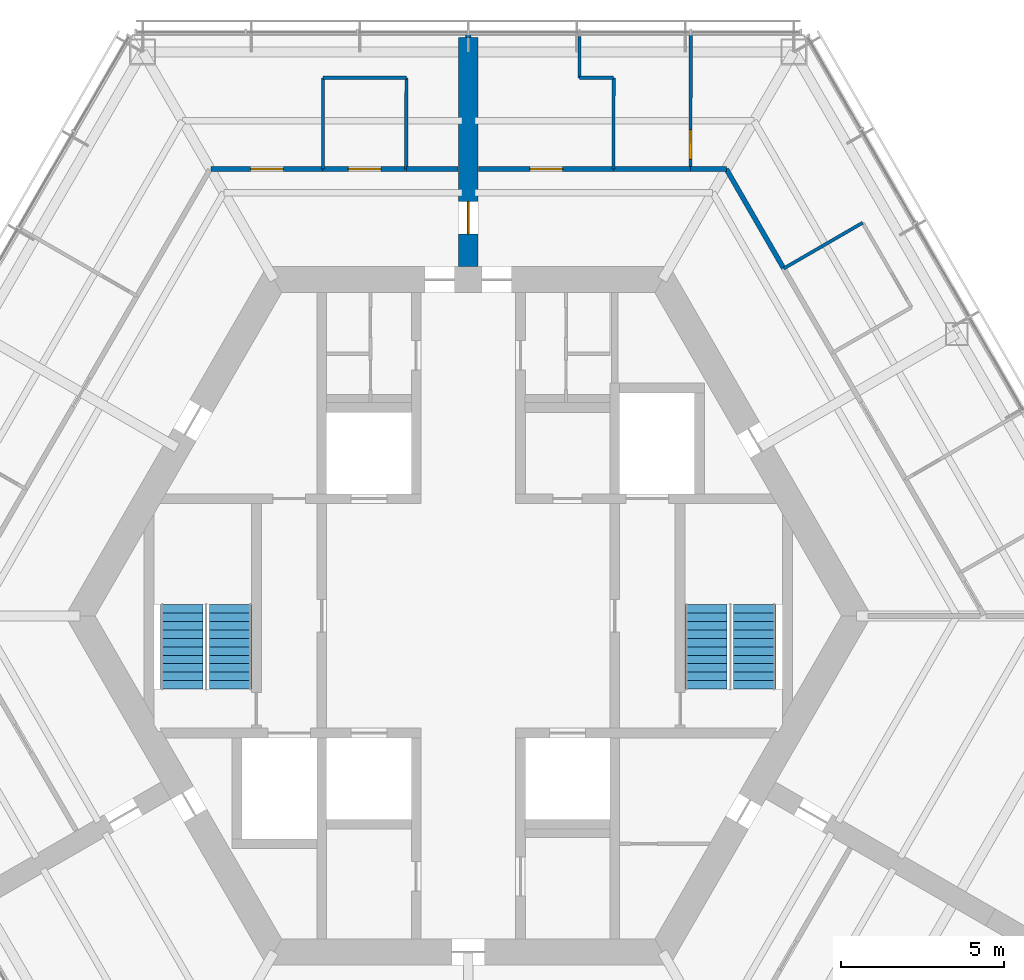
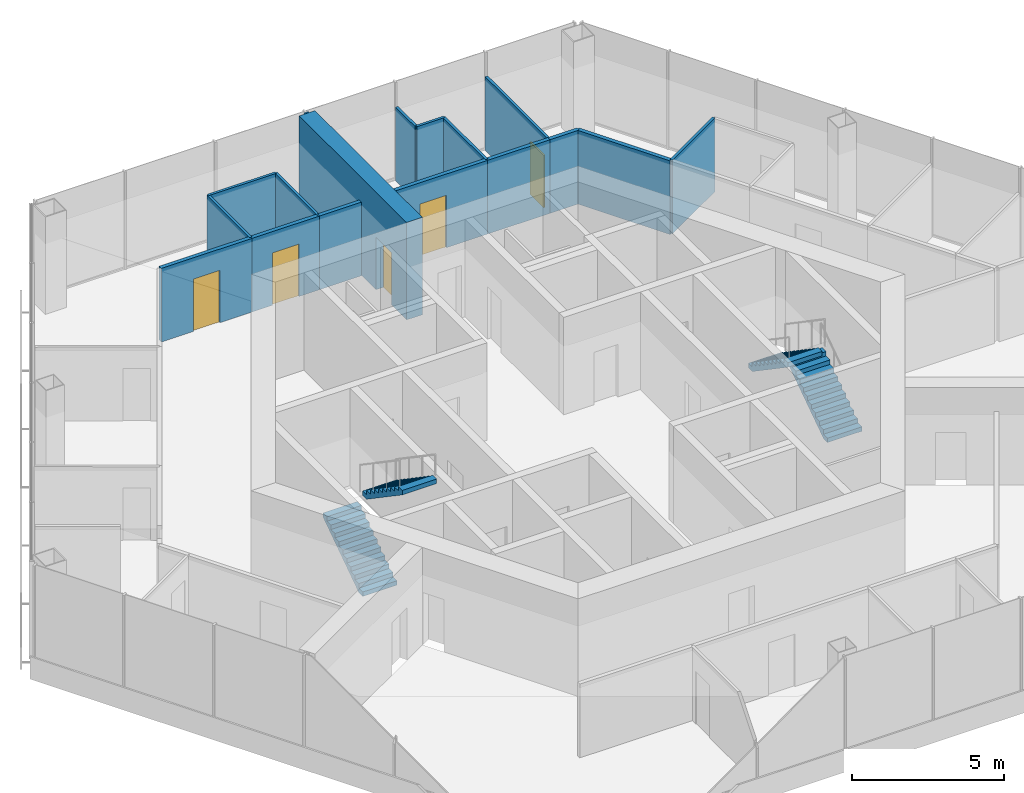
# One storey, part 10 of 13: 17 walls, 5 doors, 4 stair flights, 5 openings, 2 elements without a shape of their own.
"""IFC4 building model written with IfcOpenShell, lengths in metres."""

from ifc_helpers import new_model, si_unit, direction, frame, frame_2d, origin, place, context, subcontext, project, spatial, polyline, rectangle, outline, extrude, material, layer, layer_set, type_object, element, fill, aggregate, save


model = new_model("IFC4")

# Units and contexts
model_context = context("Model", 3, precision=1e-05, world=origin(), true_north=direction((0.0, 1.0)))
body_context = subcontext(model_context, "Body", "Model", "MODEL_VIEW")
ifc_project = project(units=[si_unit("LENGTHUNIT", "METRE"), si_unit("AREAUNIT", "SQUARE_METRE"), si_unit("VOLUMEUNIT", "CUBIC_METRE"), si_unit("PLANEANGLEUNIT", "RADIAN"), si_unit("MASSUNIT", "GRAM", prefix="KILO")], contexts=[model_context])

# Site, building, storey
site_placement = place(None, origin())
site = spatial("IfcSite", under=ifc_project, at=site_placement, CompositionType="ELEMENT")
building_placement = place(site_placement, origin())
building = spatial("IfcBuilding", under=site, at=building_placement, Name="Kasaneha Research Tower", CompositionType="ELEMENT")
storey_placement = place(building_placement, frame((0.0, 0.0, 271.300048828125)))
storey = spatial("IfcBuildingStorey", under=building, at=storey_placement, Name="L68", CompositionType="ELEMENT", Elevation=271.300048828125)

# Walls
ifc_material_1 = material(Name="Gypsum board on steel studs, one layer each side", Category="steel")
ifc_layer_1 = layer(ifc_material_1, 0.10009765625)
ifc_layer_set_1 = layer_set([ifc_layer_1], Name="Office partition 100")
wall_type_1 = type_object("IfcWallType", Name="Office partition 100", PredefinedType="PARTITIONING", material=ifc_layer_set_1)
wall_1_placement = place(storey_placement, frame((3.4150390625, 16.52490234375, 0.0), z_axis=(0.0, 0.0, 1.0), x_axis=(1.0, 0.0, 0.0)))
element("IfcWall", 1, at=wall_1_placement, inside=storey, type_object=wall_type_1, Name="Office partition FAE09 L68", PredefinedType="PARTITIONING", context=body_context, shape_type="SweptSolid", body=[
    extrude(rectangle(XDim=1.050048828125, YDim=0.10009765625, at=frame_2d((0.52490234375, 0.0))), origin(), (0.0, 0.0, 1.0), 2.949951171875),
])
wall_2_placement = place(storey_placement, frame((3.4150390625, 17.800537109375, 0.0), z_axis=(0.0, 0.0, 1.0), x_axis=(0.0, -1.0, 0.0)))
element("IfcWall", 2, at=wall_2_placement, inside=storey, type_object=wall_type_1, Name="Office partition FAE10 L68", PredefinedType="PARTITIONING", context=body_context, shape_type="SweptSolid", body=[
    extrude(rectangle(XDim=1.275634765625, YDim=0.10009765625, at=frame_2d((0.6376953125, 0.0))), origin(), (0.0, 0.0, 1.0), 2.949951171875),
])
wall_3_placement = place(storey_placement, frame((4.465087890625, 16.52490234375, 0.0), z_axis=(0.0, 0.0, 1.0), x_axis=(-0.00183117935, -0.99999832339, 0.0)))
element("IfcWall", 3, at=wall_3_placement, inside=storey, type_object=wall_type_1, Name="Office partition FAE11 L68", PredefinedType="PARTITIONING", context=body_context, shape_type="SweptSolid", body=[
    extrude(rectangle(XDim=2.7998046875, YDim=0.10009765625, at=frame_2d((1.39990234375, 0.0))), origin(), (0.0, 0.0, 1.0), 2.949951171875),
])
wall_4_placement = place(storey_placement, frame((9.6884765625, 10.669189453125, 0.0), z_axis=(0.0, 0.0, 1.0), x_axis=(0.865233198925, 0.501369635576, 0.0)))
element("IfcWall", 4, at=wall_4_placement, inside=storey, type_object=wall_type_1, Name="Office partition FAE12 L68", PredefinedType="PARTITIONING", context=body_context, shape_type="SweptSolid", body=[
    extrude(rectangle(XDim=2.800048828125, YDim=0.10009765625, at=frame_2d((1.39990234375, 0.0))), origin(), (0.0, 0.0, 1.0), 2.949951171875),
])

# Wall, opening, door
wall_5_placement = place(storey_placement, frame((6.8310546875, 17.83544921875, 0.0), z_axis=(0.0, 0.0, 1.0), x_axis=(-0.001128533375, -0.999999363206, 0.0)))
wall_5 = element("IfcWall", 5, at=wall_5_placement, inside=storey, type_object=wall_type_1, Name="Office partition FAE17 L68", PredefinedType="PARTITIONING", context=body_context, shape_type="SweptSolid", body=[
    extrude(rectangle(XDim=4.1103515625, YDim=0.10009765625, at=frame_2d((2.05517578125, 0.0))), origin(), (0.0, 0.0, 1.0), 2.949951171875),
])
opening_1_placement = place(wall_5_placement, frame((2.910400390625, 0.0, 0.0)))
opening_1 = element("IfcOpeningElement", 6, at=opening_1_placement, cuts=wall_5, Name="Opening L68-D31", PredefinedType="OPENING", context=body_context, shape_type="SweptSolid", body=[
    extrude(rectangle(XDim=0.89990234375, YDim=2.10009765625, at=frame_2d((0.449951171875, 1.050048828125))), frame((0.0, 0.06005859375, 0.0), z_axis=(0.0, -1.0, 0.0), x_axis=(1.0, 0.0, 0.0)), (0.0, 0.0, 1.0), 0.1201171875),
])
ifc_material_2 = material(Name="Timber veneer", Category="wood")
door_type_1 = type_object("IfcDoorType", Name="Office door 900x2100", OperationType="SINGLE_SWING_LEFT", PredefinedType="DOOR", material=ifc_material_2)
door_1_placement = place(opening_1_placement, origin())
door_1 = element("IfcDoor", 7, at=door_1_placement, inside=storey, type_object=door_type_1, Name="Manager's office door L68-D31", OperationType="SINGLE_SWING_RIGHT", OverallHeight=2.10009765625, OverallWidth=0.89990234375, PredefinedType="DOOR", context=body_context, shape_type="SweptSolid", body=[
    extrude(rectangle(XDim=0.89990234375, YDim=2.10009765625, at=frame_2d((0.449951171875, 1.050048828125))), frame((0.0, 0.02490234375, 0.0), z_axis=(0.0, -1.0, 0.0), x_axis=(1.0, 0.0, 0.0)), (0.0, 0.0, 1.0), 0.050048828125),
])
fill(opening_1, door_1)

# Walls
wall_6_placement = place(storey_placement, frame((-4.465087890625, 16.52490234375, 0.0), z_axis=(0.0, 0.0, 1.0), x_axis=(1.0, 0.0, 0.0)))
element("IfcWall", 8, at=wall_6_placement, inside=storey, type_object=wall_type_1, Name="Office partition FAW04 L68", PredefinedType="PARTITIONING", context=body_context, shape_type="SweptSolid", body=[
    extrude(rectangle(XDim=2.565185546875, YDim=0.10009765625, at=frame_2d((1.28271484375, 0.0))), origin(), (0.0, 0.0, 1.0), 2.949951171875),
])
for number, where, z_axis, x_axis, name in (
    (9, (-4.46044921875, 13.72509765625, 0.0), (0.0, 0.0, 1.0), (-0.001656781821, 0.999998627536, 0.0), "Office partition FAW05 L68"),
    (10, (-1.89990234375, 16.52490234375, 0.0), (0.0, 0.0, 1.0), (-0.001656781821, -0.999998627536, 0.0), "Office partition FAW06 L68"),
):
    element("IfcWall", number, at=place(storey_placement, frame(where, z_axis=z_axis, x_axis=x_axis)), inside=storey, type_object=wall_type_1, Name=name, PredefinedType="PARTITIONING", context=body_context, shape_type="SweptSolid", body=[
        extrude(rectangle(XDim=2.7998046875, YDim=0.10009765625, at=frame_2d((1.39990234375, 0.0))), origin(), (0.0, 0.0, 1.0), 2.949951171875),
    ])

# Wall, opening, door
ifc_material_3 = material(Name="Concrete Fc60", Category="concrete")
ifc_layer_2 = layer(ifc_material_3, 0.60009765625)
ifc_layer_set_2 = layer_set([ifc_layer_2], Name="Spine wall 600 Fc60")
wall_type_2 = type_object("IfcWallType", Name="Spine wall 600 Fc60", PredefinedType="SHEAR", material=ifc_layer_set_2)
wall_7_placement = place(storey_placement, frame((0.0, 10.72509765625, 0.0), z_axis=(0.0, 0.0, 1.0), x_axis=(0.0, 1.0, 0.0)))
wall_7 = element("IfcWall", 11, at=wall_7_placement, inside=storey, type_object=wall_type_2, Name="Spine wall A L68", PredefinedType="SHEAR", context=body_context, shape_type="SweptSolid", body=[
    extrude(rectangle(XDim=7.04541015625, YDim=0.60009765625, at=frame_2d((3.522705078125, 0.0))), origin(), (0.0, 0.0, 1.0), 3.89990234375),
])
opening_2_placement = place(wall_7_placement, frame((1.0, 0.0, 0.0)))
opening_2 = element("IfcOpeningElement", 12, at=opening_2_placement, cuts=wall_7, Name="Opening L68-D18", PredefinedType="OPENING", context=body_context, shape_type="SweptSolid", body=[
    extrude(rectangle(XDim=1.0, YDim=2.10009765625, at=frame_2d((0.5, 1.050048828125))), frame((0.0, 0.31005859375, 0.0), z_axis=(0.0, -1.0, 0.0), x_axis=(1.0, 0.0, 0.0)), (0.0, 0.0, 1.0), 0.6201171875),
])
ifc_material_4 = material(Name="Steel", Category="steel")
door_type_2 = type_object("IfcDoorType", Name="Specified fire door FD60 1000x2100", OperationType="NOTDEFINED", PredefinedType="DOOR", material=ifc_material_4)
door_2_placement = place(opening_2_placement, origin())
door_2 = element("IfcDoor", 13, at=door_2_placement, inside=storey, type_object=door_type_2, Name="Spine doorway A L68-D18", OperationType="SINGLE_SWING_LEFT", OverallHeight=2.10009765625, OverallWidth=1.0, PredefinedType="DOOR", context=body_context, shape_type="SweptSolid", body=[
    extrude(rectangle(XDim=1.0, YDim=2.10009765625, at=frame_2d((0.5, 1.050048828125))), frame((0.0, 0.02490234375, 0.0), z_axis=(0.0, -1.0, 0.0), x_axis=(1.0, 0.0, 0.0)), (0.0, 0.0, 1.0), 0.050048828125),
])
fill(opening_2, door_2)

ifc_material_5 = material(Name="Gypsum board on steel studs, two layers each side", Category="steel")
ifc_layer_3 = layer(ifc_material_5, 0.14990234375)
ifc_layer_set_3 = layer_set([ifc_layer_3], Name="Suite partition 150")
wall_type_3 = type_object("IfcWallType", Name="Suite partition 150", PredefinedType="PARTITIONING", material=ifc_layer_set_3)
wall_8_placement = place(storey_placement, frame((0.320068359375, 13.72509765625, 0.0), z_axis=(0.0, 0.0, 1.0), x_axis=(1.0, 0.0, 0.0)))
wall_8 = element("IfcWall", 14, at=wall_8_placement, inside=storey, type_object=wall_type_3, Name="Suite partition FAE01 L68", PredefinedType="PARTITIONING", context=body_context, shape_type="SweptSolid", body=[
    extrude(rectangle(XDim=4.14990234375, YDim=0.14990234375, at=frame_2d((2.074951171875, 0.0))), origin(), (0.0, 0.0, 1.0), 2.949951171875),
])
opening_3_placement = place(wall_8_placement, frame((1.574951171875, 0.0, 0.0)))
opening_3 = element("IfcOpeningElement", 15, at=opening_3_placement, cuts=wall_8, Name="Opening L68-D26", PredefinedType="OPENING", context=body_context, shape_type="SweptSolid", body=[
    extrude(rectangle(XDim=1.0, YDim=2.10009765625, at=frame_2d((0.5, 1.050048828125))), frame((0.0, 0.0849609375, 0.0), z_axis=(0.0, -1.0, 0.0), x_axis=(1.0, 0.0, 0.0)), (0.0, 0.0, 1.0), 0.169921875),
])
ifc_material_6 = material(Name="Steel", Category="steel")
door_type_3 = type_object("IfcDoorType", Name="Suite entrance door FD60 1000x2100", OperationType="NOTDEFINED", PredefinedType="DOOR", material=ifc_material_6)
door_3_placement = place(opening_3_placement, origin())
door_3 = element("IfcDoor", 16, at=door_3_placement, inside=storey, type_object=door_type_3, Name="Suite entrance door L68-D26", OperationType="SINGLE_SWING_RIGHT", OverallHeight=2.10009765625, OverallWidth=1.0, PredefinedType="DOOR", context=body_context, shape_type="SweptSolid", body=[
    extrude(rectangle(XDim=1.0, YDim=2.10009765625, at=frame_2d((0.5, 1.050048828125))), frame((0.0, 0.02490234375, 0.0), z_axis=(0.0, -1.0, 0.0), x_axis=(1.0, 0.0, 0.0)), (0.0, 0.0, 1.0), 0.050048828125),
])
fill(opening_3, door_3)

# Walls
wall_9_placement = place(storey_placement, frame((4.4599609375, 13.72509765625, 0.0), z_axis=(0.0, 0.0, 1.0), x_axis=(1.0, 0.0, 0.0)))
element("IfcWall", 17, at=wall_9_placement, inside=storey, type_object=wall_type_3, Name="Suite partition FAE04 L68", PredefinedType="PARTITIONING", context=body_context, shape_type="SweptSolid", body=[
    extrude(rectangle(XDim=2.3759765625, YDim=0.14990234375, at=frame_2d((1.18798828125, 0.0))), origin(), (0.0, 0.0, 1.0), 2.949951171875),
])
wall_10_placement = place(storey_placement, frame((6.826416015625, 13.72509765625, 0.0), z_axis=(0.0, 0.0, 1.0), x_axis=(1.0, 0.0, 0.0)))
element("IfcWall", 18, at=wall_10_placement, inside=storey, type_object=wall_type_3, Name="Suite partition FAE06 L68", PredefinedType="PARTITIONING", context=body_context, shape_type="SweptSolid", body=[
    extrude(rectangle(XDim=1.09765625, YDim=0.14990234375, at=frame_2d((0.548828125, 0.0))), origin(), (0.0, 0.0, 1.0), 2.949951171875),
])
wall_11_placement = place(storey_placement, frame((7.924072265625, 13.72509765625, 0.0), z_axis=(0.0, 0.0, 1.0), x_axis=(0.500015913693, -0.866016215815, 0.0)))
element("IfcWall", 19, at=wall_11_placement, inside=storey, type_object=wall_type_3, Name="Suite partition FAE07 L68", PredefinedType="PARTITIONING", context=body_context, shape_type="SweptSolid", body=[
    extrude(rectangle(XDim=3.52880859375, YDim=0.14990234375, at=frame_2d((1.764404296875, 0.0))), origin(), (0.0, 0.0, 1.0), 2.949951171875),
])

# Wall, opening, door
wall_12_placement = place(storey_placement, frame((-4.469970703125, 13.72509765625, 0.0), z_axis=(0.0, 0.0, 1.0), x_axis=(1.0, 0.0, 0.0)))
wall_12 = element("IfcWall", 20, at=wall_12_placement, inside=storey, type_object=wall_type_3, Name="Suite partition FAW01 L68", PredefinedType="PARTITIONING", context=body_context, shape_type="SweptSolid", body=[
    extrude(rectangle(XDim=2.574951171875, YDim=0.14990234375, at=frame_2d((1.28759765625, 0.0))), origin(), (0.0, 0.0, 1.0), 2.949951171875),
])
opening_4_placement = place(wall_12_placement, frame((0.78759765625, 0.0, 0.0)))
opening_4 = element("IfcOpeningElement", 21, at=opening_4_placement, cuts=wall_12, Name="Opening L68-D32", PredefinedType="OPENING", context=body_context, shape_type="SweptSolid", body=[
    extrude(rectangle(XDim=1.0, YDim=2.10009765625, at=frame_2d((0.5, 1.050048828125))), frame((0.0, 0.0849609375, 0.0), z_axis=(0.0, -1.0, 0.0), x_axis=(1.0, 0.0, 0.0)), (0.0, 0.0, 1.0), 0.169921875),
])
door_4_placement = place(opening_4_placement, origin())
door_4 = element("IfcDoor", 22, at=door_4_placement, inside=storey, type_object=door_type_3, Name="Suite entrance door L68-D32", OperationType="SINGLE_SWING_RIGHT", OverallHeight=2.10009765625, OverallWidth=1.0, PredefinedType="DOOR", context=body_context, shape_type="SweptSolid", body=[
    extrude(rectangle(XDim=1.0, YDim=2.10009765625, at=frame_2d((0.5, 1.050048828125))), frame((0.0, 0.02490234375, 0.0), z_axis=(0.0, -1.0, 0.0), x_axis=(1.0, 0.0, 0.0)), (0.0, 0.0, 1.0), 0.050048828125),
])
fill(opening_4, door_4)

wall_13_placement = place(storey_placement, frame((-7.90087890625, 13.72509765625, 0.0), z_axis=(0.0, 0.0, 1.0), x_axis=(1.0, 0.0, 0.0)))
wall_13 = element("IfcWall", 23, at=wall_13_placement, inside=storey, type_object=wall_type_3, Name="Suite partition FAW02 L68", PredefinedType="PARTITIONING", context=body_context, shape_type="SweptSolid", body=[
    extrude(rectangle(XDim=3.4404296875, YDim=0.14990234375, at=frame_2d((1.72021484375, 0.0))), origin(), (0.0, 0.0, 1.0), 2.949951171875),
])
opening_5_placement = place(wall_13_placement, frame((1.22021484375, 0.0, 0.0)))
opening_5 = element("IfcOpeningElement", 24, at=opening_5_placement, cuts=wall_13, Name="Opening L68-D33", PredefinedType="OPENING", context=body_context, shape_type="SweptSolid", body=[
    extrude(rectangle(XDim=1.0, YDim=2.10009765625, at=frame_2d((0.5, 1.050048828125))), frame((0.0, 0.0849609375, 0.0), z_axis=(0.0, -1.0, 0.0), x_axis=(1.0, 0.0, 0.0)), (0.0, 0.0, 1.0), 0.169921875),
])
door_5_placement = place(opening_5_placement, origin())
door_5 = element("IfcDoor", 25, at=door_5_placement, inside=storey, type_object=door_type_3, Name="Suite entrance door L68-D33", OperationType="SINGLE_SWING_RIGHT", OverallHeight=2.10009765625, OverallWidth=1.0, PredefinedType="DOOR", context=body_context, shape_type="SweptSolid", body=[
    extrude(rectangle(XDim=1.0, YDim=2.10009765625, at=frame_2d((0.5, 1.050048828125))), frame((0.0, 0.02490234375, 0.0), z_axis=(0.0, -1.0, 0.0), x_axis=(1.0, 0.0, 0.0)), (0.0, 0.0, 1.0), 0.050048828125),
])
fill(opening_5, door_5)

# Walls
wall_14_placement = place(storey_placement, frame((-1.904541015625, 13.72509765625, 0.0), z_axis=(0.0, 0.0, 1.0), x_axis=(1.0, 0.0, 0.0)))
element("IfcWall", 26, at=wall_14_placement, inside=storey, type_object=wall_type_3, Name="Suite partition FAW03 L68", PredefinedType="PARTITIONING", context=body_context, shape_type="SweptSolid", body=[
    extrude(rectangle(XDim=1.58447265625, YDim=0.14990234375, at=frame_2d((0.792236328125, 0.0))), origin(), (0.0, 0.0, 1.0), 2.949951171875),
])
ifc_material_7 = material(Name="Gypsum board on steel studs, two layers each side", Category="steel")
ifc_layer_4 = layer(ifc_material_7, 0.175048828125)
ifc_layer_set_4 = layer_set([ifc_layer_4], Name="Tenancy fire partition 175")
wall_type_4 = type_object("IfcWallType", Name="Tenancy fire partition 175", PredefinedType="PARTITIONING", material=ifc_layer_set_4)
wall_15_placement = place(storey_placement, frame((0.0, 17.7705078125, 0.0), z_axis=(0.0, 0.0, 1.0), x_axis=(0.0, 1.0, 0.0)))
element("IfcWall", 27, at=wall_15_placement, inside=storey, type_object=wall_type_4, Name="Spine wall closer SW4-600 L68", PredefinedType="PARTITIONING", context=body_context, shape_type="SweptSolid", body=[
    extrude(rectangle(XDim=0.06494140625, YDim=0.175048828125, at=frame_2d((0.032470703125, 0.0))), origin(), (0.0, 0.0, 1.0), 3.89990234375),
])

# Stair, stair flights
ifc_material_8 = material(Name="Concrete Fc24", Category="concrete")
stair_type = type_object("IfcStairType", Name="Half-turn stair 22 risers", PredefinedType="HALF_TURN_STAIR", material=ifc_material_8)
stair_1_placement = place(storey_placement, origin())
stair_1 = element("IfcStair", 28, at=stair_1_placement, inside=storey, type_object=stair_type, Name="Stair 1 L68", PredefinedType="HALF_TURN_STAIR")
ifc_material_9 = material(Name="Concrete Fc24", Category="concrete")
stair_flight_type = type_object("IfcStairFlightType", Name="Stair flight 11 risers 177.3", PredefinedType="STRAIGHT", material=ifc_material_9)
stair_flight_1_placement = place(storey_placement, frame((8.800048828125, -2.25, 0.0), z_axis=(0.0, 0.0, 1.0), x_axis=(0.0, 1.0, 0.0)))
stair_flight_1 = element("IfcStairFlight", 29, at=stair_flight_1_placement, type_object=stair_flight_type, Name="ST1-22R flight 1", NumberOfRisers=11, NumberOfTreads=10, PredefinedType="STRAIGHT", RiserHeight=0.177272727, TreadLength=0.26, context=body_context, shape_type="SweptSolid", body=[
    extrude(outline(polyline([(0.0, 0.0), (0.0, 0.17724609375), (0.260009765625, 0.17724609375), (0.260009765625, 0.3544921875), (0.52001953125, 0.3544921875), (0.52001953125, 0.53173828125), (0.780029296875, 0.53173828125), (0.780029296875, 0.708984375), (1.0400390625, 0.708984375), (1.0400390625, 0.886474609375), (1.300048828125, 0.886474609375), (1.300048828125, 1.063720703125), (1.56005859375, 1.063720703125), (1.56005859375, 1.240966796875), (1.820068359375, 1.240966796875), (1.820068359375, 1.418212890625), (2.080078125, 1.418212890625), (2.080078125, 1.595458984375), (2.340087890625, 1.595458984375), (2.340087890625, 1.772705078125), (2.60009765625, 1.772705078125), (2.60009765625, 1.949951171875), (2.60009765625, 1.59130859375), (0.26611328125, 0.0), (0.0, 0.0)])), frame((0.0, 0.64990234375, 0.0), z_axis=(0.0, -1.0, 0.0), x_axis=(1.0, 0.0, 0.0)), (0.0, 0.0, 1.0), 1.300048828125),
])
stair_flight_2_placement = place(storey_placement, frame((7.300048828125, 0.35009765625, 1.949951171875), z_axis=(0.0, 0.0, 1.0), x_axis=(0.0, -1.0, 0.0)))
stair_flight_2 = element("IfcStairFlight", 30, at=stair_flight_2_placement, type_object=stair_flight_type, Name="ST1-22R flight 2", NumberOfRisers=11, NumberOfTreads=10, PredefinedType="STRAIGHT", RiserHeight=0.177272727, TreadLength=0.26, context=body_context, shape_type="SweptSolid", body=[
    extrude(outline(polyline([(0.0, 0.0), (0.0, 0.17724609375), (0.260009765625, 0.17724609375), (0.260009765625, 0.3544921875), (0.52001953125, 0.3544921875), (0.52001953125, 0.53173828125), (0.780029296875, 0.53173828125), (0.780029296875, 0.708984375), (1.0400390625, 0.708984375), (1.0400390625, 0.886474609375), (1.300048828125, 0.886474609375), (1.300048828125, 1.063720703125), (1.56005859375, 1.063720703125), (1.56005859375, 1.240966796875), (1.820068359375, 1.240966796875), (1.820068359375, 1.418212890625), (2.080078125, 1.418212890625), (2.080078125, 1.595458984375), (2.340087890625, 1.595458984375), (2.340087890625, 1.772705078125), (2.60009765625, 1.772705078125), (2.60009765625, 1.949951171875), (2.60009765625, 1.59130859375), (0.26611328125, 0.0), (0.0, 0.0)])), frame((0.0, 0.64990234375, 0.0), z_axis=(0.0, -1.0, 0.0), x_axis=(1.0, 0.0, 0.0)), (0.0, 0.0, 1.0), 1.300048828125),
])
aggregate(stair_1, [stair_flight_1, stair_flight_2])

stair_2_placement = place(storey_placement, origin())
stair_2 = element("IfcStair", 31, at=stair_2_placement, inside=storey, type_object=stair_type, Name="Stair 2 L68", PredefinedType="HALF_TURN_STAIR")
stair_flight_3_placement = place(storey_placement, frame((-8.800048828125, -2.25, 0.0), z_axis=(0.0, 0.0, 1.0), x_axis=(0.0, 1.0, 0.0)))
stair_flight_3 = element("IfcStairFlight", 32, at=stair_flight_3_placement, type_object=stair_flight_type, Name="ST2-22R flight 1", NumberOfRisers=11, NumberOfTreads=10, PredefinedType="STRAIGHT", RiserHeight=0.177272727, TreadLength=0.26, context=body_context, shape_type="SweptSolid", body=[
    extrude(outline(polyline([(0.0, 0.0), (0.0, 0.17724609375), (0.260009765625, 0.17724609375), (0.260009765625, 0.3544921875), (0.52001953125, 0.3544921875), (0.52001953125, 0.53173828125), (0.780029296875, 0.53173828125), (0.780029296875, 0.708984375), (1.0400390625, 0.708984375), (1.0400390625, 0.886474609375), (1.300048828125, 0.886474609375), (1.300048828125, 1.063720703125), (1.56005859375, 1.063720703125), (1.56005859375, 1.240966796875), (1.820068359375, 1.240966796875), (1.820068359375, 1.418212890625), (2.080078125, 1.418212890625), (2.080078125, 1.595458984375), (2.340087890625, 1.595458984375), (2.340087890625, 1.772705078125), (2.60009765625, 1.772705078125), (2.60009765625, 1.949951171875), (2.60009765625, 1.59130859375), (0.26611328125, 0.0), (0.0, 0.0)])), frame((0.0, 0.64990234375, 0.0), z_axis=(0.0, -1.0, 0.0), x_axis=(1.0, 0.0, 0.0)), (0.0, 0.0, 1.0), 1.300048828125),
])
stair_flight_4_placement = place(storey_placement, frame((-7.300048828125, 0.35009765625, 1.949951171875), z_axis=(0.0, 0.0, 1.0), x_axis=(0.0, -1.0, 0.0)))
stair_flight_4 = element("IfcStairFlight", 33, at=stair_flight_4_placement, type_object=stair_flight_type, Name="ST2-22R flight 2", NumberOfRisers=11, NumberOfTreads=10, PredefinedType="STRAIGHT", RiserHeight=0.177272727, TreadLength=0.26, context=body_context, shape_type="SweptSolid", body=[
    extrude(outline(polyline([(0.0, 0.0), (0.0, 0.17724609375), (0.260009765625, 0.17724609375), (0.260009765625, 0.3544921875), (0.52001953125, 0.3544921875), (0.52001953125, 0.53173828125), (0.780029296875, 0.53173828125), (0.780029296875, 0.708984375), (1.0400390625, 0.708984375), (1.0400390625, 0.886474609375), (1.300048828125, 0.886474609375), (1.300048828125, 1.063720703125), (1.56005859375, 1.063720703125), (1.56005859375, 1.240966796875), (1.820068359375, 1.240966796875), (1.820068359375, 1.418212890625), (2.080078125, 1.418212890625), (2.080078125, 1.595458984375), (2.340087890625, 1.595458984375), (2.340087890625, 1.772705078125), (2.60009765625, 1.772705078125), (2.60009765625, 1.949951171875), (2.60009765625, 1.59130859375), (0.26611328125, 0.0), (0.0, 0.0)])), frame((0.0, 0.64990234375, 0.0), z_axis=(0.0, -1.0, 0.0), x_axis=(1.0, 0.0, 0.0)), (0.0, 0.0, 1.0), 1.300048828125),
])
aggregate(stair_2, [stair_flight_3, stair_flight_4])

save(model, "model.ifc")
